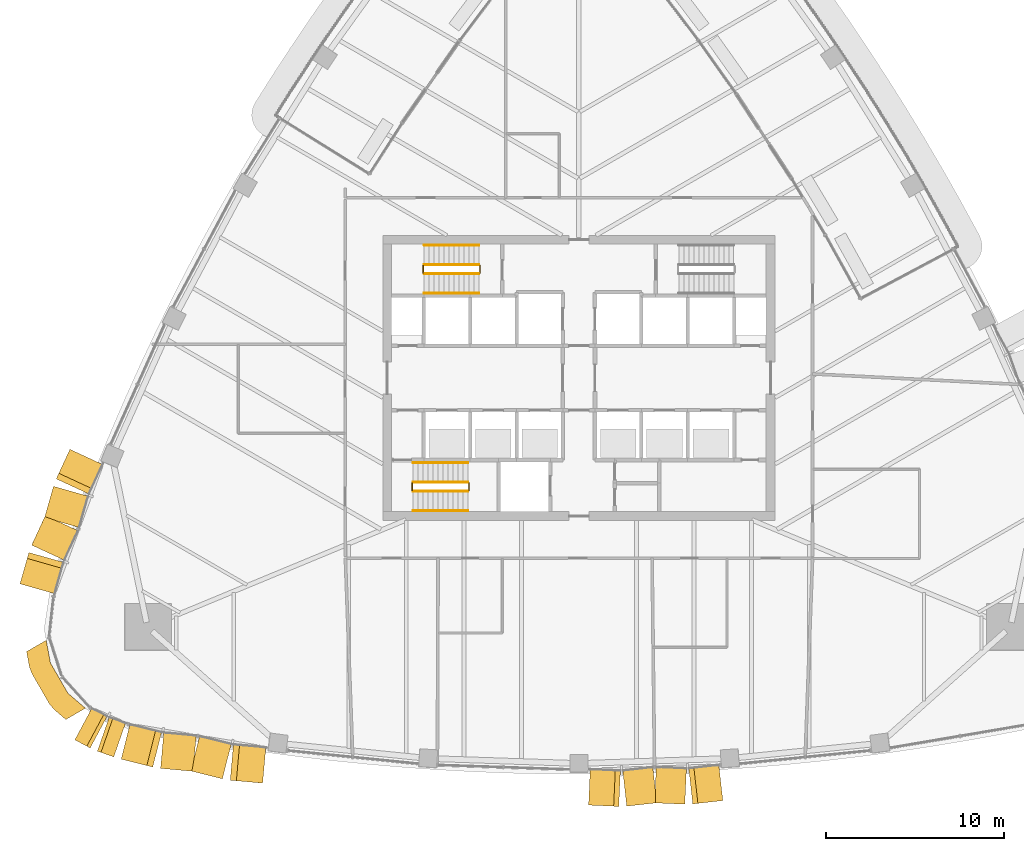
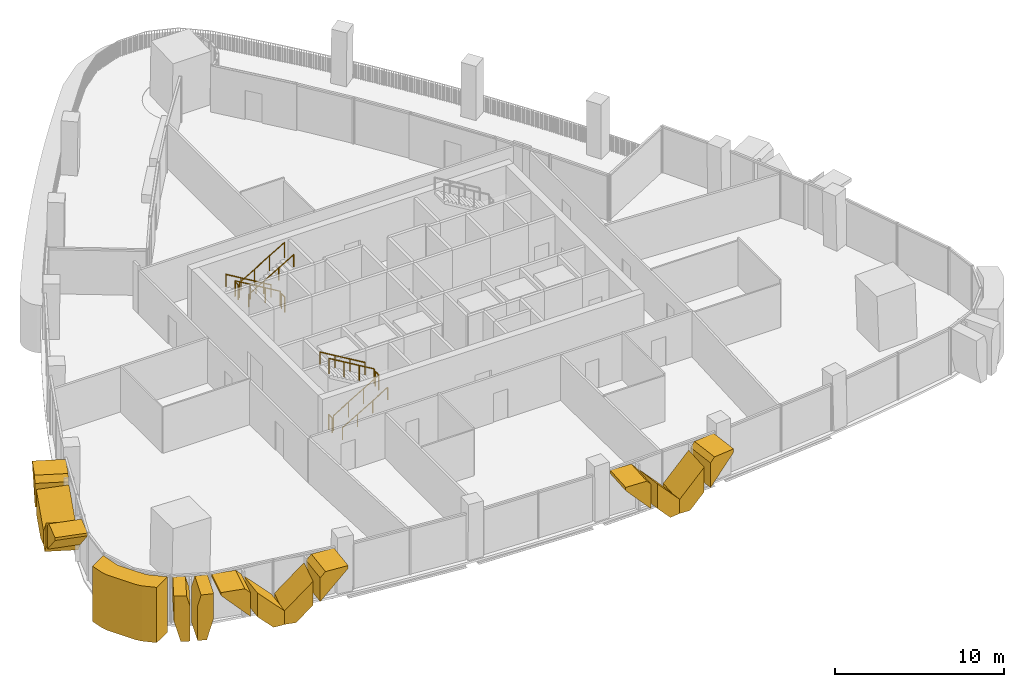
# One storey, part 17 of 21: 15 coverings, 12 railings.
"""IFC4 building model written with IfcOpenShell, lengths in metres."""

import ifcopenshell
import ifcopenshell.guid

model = None  # the IFC model being written
_history = None  # IfcOwnerHistory: only IFC2X3 demands one
_inside = {}  # id of a spatial element -> (the spatial element, [elements in it])
_under = {}  # id of a project, library or spatial element -> (it, [spatial elements below it])
_declared = {}  # id of a project -> (the project, [libraries it declares])
_typed = {}  # id of a type object -> (the type object, [elements of that type])
_made_of = {}  # id of a material, layer set ... -> (it, [elements and type objects made of it])


def new_model(schema):
    """Start an empty IFC model of exactly this schema.

    Asked for "IFC4X3", IfcOpenShell would pick the latest addendum, in which some entities
    have other attributes; the version numbers below select the first issue.
    IFC2X3 requires an IfcOwnerHistory on every rooted entity: one is made here for all.
    """
    global model, _history
    if schema == "IFC4X3":
        model = ifcopenshell.file(schema_version=(4, 3, 0, 0))
    else:
        model = ifcopenshell.file(schema=schema)
    _inside.clear()
    _under.clear()
    _declared.clear()
    _typed.clear()
    _made_of.clear()
    _history = None
    if model.schema == "IFC2X3":
        org = make("IfcOrganization", Name="unknown")
        user = make(
            "IfcPersonAndOrganization",
            ThePerson=make("IfcPerson", FamilyName="unknown"),
            TheOrganization=org,
        )
        app = make(
            "IfcApplication",
            ApplicationDeveloper=org,
            Version="unknown",
            ApplicationFullName="unknown",
            ApplicationIdentifier="unknown",
        )
        _history = make(
            "IfcOwnerHistory",
            OwningUser=user,
            OwningApplication=app,
            ChangeAction="ADDED",
            CreationDate=0,
        )
    return model


def make(cls, **values):
    """One entity of the class cls with the attributes given. An attribute that is None is left unset."""
    return model.create_entity(
        cls, **{name: value for name, value in values.items() if value is not None}
    )


def rooted(cls, **values):
    """An entity with a GlobalId (a new one), such as an element, a storey or a relation."""
    return make(cls, GlobalId=ifcopenshell.guid.new(), OwnerHistory=_history, **values)


def si_unit(unit_type, name, prefix=None):
    """IfcSIUnit, for example si_unit("LENGTHUNIT", "METRE", prefix="MILLI")."""
    return make("IfcSIUnit", UnitType=unit_type, Prefix=prefix, Name=name)


def assignment(units):
    """IfcUnitAssignment: the units of a project."""
    return None if units is None else make("IfcUnitAssignment", Units=units)


def point(xyz):
    """IfcCartesianPoint."""
    return None if xyz is None else make("IfcCartesianPoint", Coordinates=xyz)


def direction(xyz):
    """IfcDirection."""
    return None if xyz is None else make("IfcDirection", DirectionRatios=xyz)


def frame(location, z_axis=None, x_axis=None):
    """IfcAxis2Placement3D, a coordinate frame: its origin and axes. An axis left out is left unset."""
    return make(
        "IfcAxis2Placement3D",
        Location=point(location),
        Axis=direction(z_axis),
        RefDirection=direction(x_axis),
    )


def frame_2d(location, x_axis=None):
    """IfcAxis2Placement2D, a coordinate frame in the plane: its origin and x axis."""
    return make(
        "IfcAxis2Placement2D", Location=point(location), RefDirection=direction(x_axis)
    )


def origin():
    """The frame at (0, 0, 0) with its axes left unset."""
    return frame((0.0, 0.0, 0.0))


def origin_2d():
    """The frame at (0, 0) in the plane with its x axis left unset."""
    return frame_2d((0.0, 0.0))


def place(relative_to, where):
    """IfcLocalPlacement: puts the frame where relative to a parent placement (None: the world)."""
    return make(
        "IfcLocalPlacement", PlacementRelTo=relative_to, RelativePlacement=where
    )


def context(
    kind, dimensions, precision=None, world=None, true_north=None, identifier=None
):
    """IfcGeometricRepresentationContext, for example the 3D "Model" context."""
    return make(
        "IfcGeometricRepresentationContext",
        ContextIdentifier=identifier,
        ContextType=kind,
        CoordinateSpaceDimension=dimensions,
        Precision=precision,
        WorldCoordinateSystem=world,
        TrueNorth=true_north,
    )


def subcontext(parent, identifier, kind, view, scale=None):
    """IfcGeometricRepresentationSubContext, for example "Body" below "Model"."""
    return make(
        "IfcGeometricRepresentationSubContext",
        ContextIdentifier=identifier,
        ContextType=kind,
        ParentContext=parent,
        TargetScale=scale,
        TargetView=view,
    )


def project(units=None, contexts=None):
    """IfcProject with its units and contexts."""
    return rooted(
        "IfcProject",
        Name="project",
        RepresentationContexts=contexts,
        UnitsInContext=assignment(units),
    )


def spatial(cls, under=None, at=None, **own):
    """A site, building, storey or space (cls), placed at a placement, below another one or the project."""
    s = rooted(cls, ObjectPlacement=at, **own)
    if under is not None:
        _under.setdefault(under.id(), (under, []))[1].append(s)
    return s


def polyline(points):
    """IfcPolyline through the points."""
    return make("IfcPolyline", Points=[point(p) for p in points])


def profile(cls, at=None, kind="AREA", **sizes):
    """A parametric profile (cls). Its sizes go by their IFC names, for example OverallWidth=200.0."""
    return make(cls, ProfileType=kind, Position=at, **sizes)


def circle(**sizes):
    """IfcCircleProfileDef."""
    return profile("IfcCircleProfileDef", **sizes)


def outline(outer, holes=None, kind="AREA"):
    """IfcArbitraryClosedProfileDef: a profile drawn as a closed curve; with holes, ...WithVoids."""
    if holes is None:
        return make("IfcArbitraryClosedProfileDef", ProfileType=kind, OuterCurve=outer)
    return make(
        "IfcArbitraryProfileDefWithVoids",
        ProfileType=kind,
        OuterCurve=outer,
        InnerCurves=holes,
    )


def extrude(swept, where, along, depth):
    """IfcExtrudedAreaSolid: the profile swept, set in the frame where, extruded along a direction by depth."""
    return make(
        "IfcExtrudedAreaSolid",
        SweptArea=swept,
        Position=where,
        ExtrudedDirection=direction(along),
        Depth=depth,
    )


def shape(context_of_items, identifier, shape_type, items):
    """IfcShapeRepresentation: the items that make up one representation, for example the "Body"."""
    return make(
        "IfcShapeRepresentation",
        ContextOfItems=context_of_items,
        RepresentationIdentifier=identifier,
        RepresentationType=shape_type,
        Items=items,
    )


def material(Name=None, Category=None):
    """IfcMaterial."""
    return make("IfcMaterial", Name=Name, Category=Category)


def layer(
    of_material, thickness, ventilated=None, Name=None, Category=None, Priority=None
):
    """IfcMaterialLayer: one layer of a wall or slab, of a material (None: an air gap)."""
    return make(
        "IfcMaterialLayer",
        Material=of_material,
        LayerThickness=thickness,
        IsVentilated=ventilated,
        Name=Name,
        Category=Category,
        Priority=Priority,
    )


def layer_set(layers, Name=None):
    """IfcMaterialLayerSet."""
    return make("IfcMaterialLayerSet", MaterialLayers=layers, LayerSetName=Name)


def made_of(thing, what):
    """Note that an element or type object is made of a material, layer set ...; save() writes the relation."""
    if what is not None:
        _made_of.setdefault(what.id(), (what, []))[1].append(thing)
    return thing


def type_object(cls, material=None, **own):
    """A type object (cls), such as IfcWallType, which elements share."""
    return made_of(rooted(cls, **own), material)


def element(
    cls,
    number,
    at=None,
    inside=None,
    cuts=None,
    type_object=None,
    material=None,
    context=None,
    identifier="Body",
    shape_type=None,
    held_by="IfcProductDefinitionShape",
    body=None,
    shapes=None,
    **own,
):
    """One element of the class cls, such as IfcWall. Its Tag is "e" and its number.

    at: its placement. inside: the storey or other place that contains it. cuts: it is an
    opening in that element (IfcRelVoidsElement). A single representation is given by context,
    identifier, shape_type and body (its items); several are given by shapes. held_by: the class
    of the entity that holds the representations. save() writes the other relations.
    """
    e = rooted(cls, Tag="e%d" % number, ObjectPlacement=at, **own)
    if body is not None:
        shapes = [shape(context, identifier, shape_type, body)]
    if shapes is not None:
        e.Representation = make(held_by, Representations=shapes)
    if inside is not None:
        _inside.setdefault(inside.id(), (inside, []))[1].append(e)
    if cuts is not None:
        rooted(
            "IfcRelVoidsElement", RelatingBuildingElement=cuts, RelatedOpeningElement=e
        )
    if type_object is not None:
        _typed.setdefault(type_object.id(), (type_object, []))[1].append(e)
    return made_of(e, material)


def aggregate(whole, parts):
    """IfcRelAggregates: a whole, such as a stair, and the parts it consists of."""
    return rooted("IfcRelAggregates", RelatingObject=whole, RelatedObjects=parts)


def save(model, path):
    """Write the relations noted so far, then the file.

    IfcRelAggregates (storeys below a building ...), IfcRelContainedInSpatialStructure (elements
    in a storey), IfcRelDefinesByType, IfcRelAssociatesMaterial and IfcRelDeclares: one each for
    every whole, place, type object, material and project.
    """
    for whole, parts in _under.values():
        aggregate(whole, parts)
    for where, things in _inside.values():
        rooted(
            "IfcRelContainedInSpatialStructure",
            RelatedElements=things,
            RelatingStructure=where,
        )
    for kind, things in _typed.values():
        rooted("IfcRelDefinesByType", RelatedObjects=things, RelatingType=kind)
    for what, things in _made_of.values():
        rooted("IfcRelAssociatesMaterial", RelatedObjects=things, RelatingMaterial=what)
    for by, libraries in _declared.values():
        rooted("IfcRelDeclares", RelatingContext=by, RelatedDefinitions=libraries)
    model.write(path)


model = new_model("IFC4")

# Units and contexts
model_context = context("Model", 3, precision=1e-05, world=origin(), true_north=direction((0.0, 1.0)))
body_context = subcontext(model_context, "Body", "Model", "MODEL_VIEW")
ifc_project = project(units=[si_unit("LENGTHUNIT", "METRE"), si_unit("AREAUNIT", "SQUARE_METRE"), si_unit("VOLUMEUNIT", "CUBIC_METRE"), si_unit("PLANEANGLEUNIT", "RADIAN"), si_unit("MASSUNIT", "GRAM", prefix="KILO")], contexts=[model_context])

# Site, building, storey
site_placement = place(None, origin())
site = spatial("IfcSite", under=ifc_project, at=site_placement, CompositionType="ELEMENT")
building_placement = place(site_placement, origin())
building = spatial("IfcBuilding", under=site, at=building_placement, Name="Sierra Prisma Convention Tower", CompositionType="ELEMENT")
storey_placement = place(building_placement, frame((0.0, 0.0, 157.800048828125)))
storey = spatial("IfcBuildingStorey", under=building, at=storey_placement, Name="L34", CompositionType="ELEMENT", Elevation=157.800048828125)

# Coverings
ifc_material_1 = material(Name="Aluminium composite bronze anodised", Category="aluminium")
ifc_layer_1 = layer(ifc_material_1, 1.199951171875)
ifc_layer_set_1 = layer_set([ifc_layer_1], Name="Bronze corner pier")
covering_type_1 = type_object("IfcCoveringType", Name="Bronze corner pier", PredefinedType="CLADDING", material=ifc_layer_set_1)
covering_1_placement = place(storey_placement, frame((0.0, 0.0, -0.60009765625)))
element("IfcCovering", 1, at=covering_1_placement, inside=storey, type_object=covering_type_1, Name="Corner pier SW L34.1", PredefinedType="CLADDING", context=body_context, shape_type="SweptSolid", body=[
    extrude(outline(polyline([(-29.69873046875, -18.2734375), (-30.6748046875, -16.5830078125), (-30.81494140625, -16.204345703125), (-30.976318359375, -15.34375), (-29.874755859375, -14.707763671875), (-29.635498046875, -15.983154296875), (-28.659423828125, -17.673583984375), (-27.6748046875, -18.518310546875), (-28.7763671875, -19.154296875), (-29.44091796875, -18.584228515625), (-29.69873046875, -18.2734375)])), origin(), (0.0, 0.0, 1.0), 4.0),
])
ifc_material_2 = material(Name="Aluminium 6063-T6 bronze anodised", Category="aluminium")
ifc_layer_2 = layer(ifc_material_2, 2.0)
ifc_layer_set_2 = layer_set([ifc_layer_2], Name="Bronze crystal chevron frame")
covering_type_2 = type_object("IfcCoveringType", Name="Bronze crystal chevron frame", PredefinedType="CLADDING", material=ifc_layer_set_2)
covering_2_placement = place(storey_placement, frame((-28.544677734375, -4.0009765625, 3.280029296875), z_axis=(-0.907345004592, 0.420386777314, 1.0058604e-05), x_axis=(-9.126624e-06, 4.228504e-06, -0.999999999949)))
element("IfcCovering", 2, at=covering_2_placement, inside=storey, type_object=covering_type_2, Name="CW-2 chevron frame NW6.1.1", PredefinedType="CLADDING", context=body_context, shape_type="SweptSolid", body=[
    extrude(outline(polyline([(0.0, 0.0), (0.20068359373984787, 0.0), (2.0725097655559974, 1.826458570850261), (0.3542480468929206, 1.826458570850261), (-1.9415027582672016e-10, 1.4809602509113515), (0.0, 0.0)])), origin(), (0.0, 0.0, -1.0), 2.0),
])
covering_3_placement = place(storey_placement, frame((-29.466796875, -6.073974609375, 2.79248046875), z_axis=(-0.961927187567, 0.273305844274, 3.6122122e-05), x_axis=(-3.4746851e-05, 9.872387e-06, -0.999999999348)))
element("IfcCovering", 3, at=covering_3_placement, inside=storey, type_object=covering_type_2, Name="CW-2 chevron frame NW6.1.2", PredefinedType="CLADDING", context=body_context, shape_type="SweptSolid", body=[
    extrude(outline(polyline([(0.0, 0.0), (1.7182617176289996, 2.9108485755741044e-21), (2.7924804717731018, 1.0482471554275454), (2.792480468329824, 1.8266358460308618), (1.8718261720554623, 1.8266358460308618), (0.0, 0.0)])), origin(), (0.0, 0.0, -1.0), 2.0),
])
covering_4_placement = place(storey_placement, frame((-29.9228515625, -7.714599609375, 0.0), z_axis=(-0.907281528453, 0.42052375189, 4.7168026e-05), x_axis=(-0.420523752358, -0.907281529462, -7.544e-09)))
element("IfcCovering", 4, at=covering_4_placement, inside=storey, type_object=covering_type_2, Name="CW-2 chevron frame NW6.2.1", PredefinedType="CLADDING", context=body_context, shape_type="SweptSolid", body=[
    extrude(outline(polyline([(0.0, 0.0), (0.7782667322060375, -1.6940658945086007e-21), (1.826561209402547, 1.0742187649742598), (1.8265611964402546, 2.792480481812846), (-6.945269226519139e-09, 0.9206542958508538), (0.0, 0.0)])), origin(), (0.0, 0.0, -1.0), 2.0),
])
covering_5_placement = place(storey_placement, frame((-31.344482421875, -11.544677734375, 3.280029296875), z_axis=(-0.961921342181, 0.273326419244, 7.54332e-07), x_axis=(0.273326419244, 0.961921342181, 1e-12)))
element("IfcCovering", 5, at=covering_5_placement, inside=storey, type_object=covering_type_2, Name="CW-2 chevron frame NW6.2.2", PredefinedType="CLADDING", context=body_context, shape_type="SweptSolid", body=[
    extrude(outline(polyline([(0.0, 0.0), (1.480953670589003, 5.293955920339377e-23), (1.826635846442726, 0.3542480468764477), (1.826635846441459, 2.0725097656259592), (-1.4796469815772763e-13, 0.20068359374994293), (0.0, 0.0)])), origin(), (0.0, 0.0, -1.0), 2.0),
])
covering_6_placement = place(storey_placement, frame((-28.2685546875, -20.29150390625, 3.280029296875), z_axis=(-0.47215438019, -0.88151587687, -9.698263e-06), x_axis=(4.579078e-06, 8.549173e-06, -0.999999999953)))
element("IfcCovering", 6, at=covering_6_placement, inside=storey, type_object=covering_type_2, Name="CW-2 chevron frame SW4.1.1", PredefinedType="CLADDING", context=body_context, shape_type="SweptSolid", body=[
    extrude(outline(polyline([(0.0, 0.0), (1.7661132811669429, 2.991912275604301e-21), (3.280029297607041, 0.41538422428640653), (3.2800292968978977, 0.9726577511941177), (0.7756347657656748, 0.9726577511941177), (4.0877076655960275e-10, 0.759666219457765), (0.0, 0.0)])), origin(), (0.0, 0.0, -1.0), 2.0),
])
covering_7_placement = place(storey_placement, frame((-27.005126953125, -20.9287109375, 0.0), z_axis=(-0.328529065947, -0.944493860246, -2.8036486e-05), x_axis=(0.944493860617, -0.328529066076, 7.58e-10)))
element("IfcCovering", 7, at=covering_7_placement, inside=storey, type_object=covering_type_2, Name="CW-2 chevron frame SW4.1.2", PredefinedType="CLADDING", context=body_context, shape_type="SweptSolid", body=[
    extrude(outline(polyline([(0.0, 0.0), (0.5573060456658403, 8.470329472543003e-22), (0.972698962328281, 1.5139160148920645), (0.9726989636672722, 3.2800292954479424), (0.21279450669859706, 3.280029300149654), (1.898724161820811e-09, 2.504394530265717), (0.0, 0.0)])), origin(), (0.0, 0.0, -1.0), 2.0),
])
covering_8_placement = place(storey_placement, frame((-25.670166015625, -21.372802734375, 3.280029296875), z_axis=(-0.244197228601, -0.969725586373, 2.6018475e-05), x_axis=(-6.353639e-06, -2.523078e-05, -0.999999999662)))
element("IfcCovering", 8, at=covering_8_placement, inside=storey, type_object=covering_type_2, Name="CW-2 chevron frame S1.1.1", PredefinedType="CLADDING", context=body_context, shape_type="SweptSolid", body=[
    extrude(outline(polyline([(0.0, 0.0), (0.20068359368207253, 1.6998561587964719e-22), (2.072509765163308, 1.826539909258576), (0.3542480469949061, 1.826539909258576), (-1.2990511723368374e-09, 1.4808549796527508), (0.0, 0.0)])), origin(), (0.0, 0.0, -1.0), 2.0),
])
covering_9_placement = place(storey_placement, frame((-23.461669921875, -21.89306640625, 2.79248046875), z_axis=(-0.089536532803, -0.995983537897, 3.9151018e-05), x_axis=(-3.505446e-06, -3.8993769e-05, -0.999999999234)))
element("IfcCovering", 9, at=covering_9_placement, inside=storey, type_object=covering_type_2, Name="CW-2 chevron frame S1.1.2", PredefinedType="CLADDING", context=body_context, shape_type="SweptSolid", body=[
    extrude(outline(polyline([(0.0, 0.0), (1.7182617174331225, 0.0), (2.792480472301341, 1.0481682559728875), (2.7924804682564046, 1.8264313534126646), (1.8718261720869953, 1.8264313534126646), (0.0, 0.0)])), origin(), (0.0, 0.0, -1.0), 2.0),
])
covering_10_placement = place(storey_placement, frame((-21.01025390625, -22.22607421875, 0.0), z_axis=(-0.244335602112, -0.969690730776, 1.3667605e-05), x_axis=(0.677275077702, -0.170644750129, 0.715666709005)))
element("IfcCovering", 10, at=covering_10_placement, inside=storey, type_object=covering_type_2, Name="CW-2 chevron frame S1.2.1", PredefinedType="CLADDING", context=body_context, shape_type="SweptSolid", body=[
    extrude(outline(polyline([(0.0, 0.0), (1.5010042202284484, 0.0), (2.7307069296949047, 1.2001060702708894), (0.1153295005199999, 1.1999806279445064), (-0.5435521302555054, 0.5569570429783904), (0.0, 0.0)])), origin(), (0.0, 0.0, -1.0), 2.0),
])
covering_11_placement = place(storey_placement, frame((-17.7373046875, -22.719970703125, 3.280029296875), z_axis=(-0.089576252047, -0.995979963413, 8.6890774e-05), x_axis=(-0.995979967172, 0.089576252386, 9.784e-09)))
element("IfcCovering", 11, at=covering_11_placement, inside=storey, type_object=covering_type_2, Name="CW-2 chevron frame S1.2.2", PredefinedType="CLADDING", context=body_context, shape_type="SweptSolid", body=[
    extrude(outline(polyline([(0.0, 0.0), (1.4808214020961126, -3.3881317890172014e-21), (1.8264313501716145, 0.3542480660817135), (1.826431333360498, 2.0725097783452697), (-1.963446696895295e-09, 0.20068359299241878), (0.0, 0.0)])), origin(), (0.0, 0.0, -1.0), 2.0),
])
covering_12_placement = place(storey_placement, frame((0.539794921875, -23.951416015625, 3.280029296875), z_axis=(-0.044991850385, -0.998987352103, 6.1139471e-05), x_axis=(-2.750778e-06, -6.1077558e-05, -0.999999998131)))
element("IfcCovering", 12, at=covering_12_placement, inside=storey, type_object=covering_type_2, Name="CW-2 chevron frame S4.1.1", PredefinedType="CLADDING", context=body_context, shape_type="SweptSolid", body=[
    extrude(outline(polyline([(0.0, 0.0), (0.23657226518284233, 0.0), (2.0993652316403755, 1.6980094200630487), (0.31811523496956295, 1.6980094200630487), (-7.54269004048393e-09, 1.4081586969836086), (0.0, 0.0)])), origin(), (0.0, 0.0, -1.0), 2.0),
])
covering_13_placement = place(storey_placement, frame((2.679443359375, -24.0126953125, 2.8193359375), z_axis=(0.111891656459, -0.993720411202, 3.9689058e-05), x_axis=(4.440874e-06, -3.9439827e-05, -0.999999999212)))
element("IfcCovering", 13, at=covering_13_placement, inside=storey, type_object=covering_type_2, Name="CW-2 chevron frame S4.1.2", PredefinedType="CLADDING", context=body_context, shape_type="SweptSolid", body=[
    extrude(outline(polyline([(0.0, 0.0), (1.7812499985970685, -1.5087774372967225e-21), (2.819335941227306, 0.9461099594331482), (2.819335936914676, 1.6979134462940104), (1.8627929689180596, 1.6979134462940104), (0.0, 0.0)])), origin(), (0.0, 0.0, -1.0), 2.0),
])
covering_14_placement = place(storey_placement, frame((4.24267578125, -23.826904296875, 0.0), z_axis=(-0.044853848244, -0.99899355964, -9.749061e-06), x_axis=(0.998993559688, -0.044853848246, -3.46e-10)))
element("IfcCovering", 14, at=covering_14_placement, inside=storey, type_object=covering_type_2, Name="CW-2 chevron frame S4.2.1", PredefinedType="CLADDING", context=body_context, shape_type="SweptSolid", body=[
    extrude(outline(polyline([(0.0, 0.0), (0.7517319386370479, -5.293955920339377e-23), (1.6979984501687364, 1.0380859381370926), (1.6979984495521585, 2.819335938052444), (-3.3110645782300244e-10, 0.956542968704543), (0.0, 0.0)])), origin(), (0.0, 0.0, -1.0), 2.0),
])
covering_15_placement = place(storey_placement, frame((8.0693359375, -23.697998046875, 3.280029296875), z_axis=(0.112009692469, -0.99370711419, -8.76978e-07), x_axis=(-0.993707114191, -0.11200969247, 1e-12)))
element("IfcCovering", 15, at=covering_15_placement, inside=storey, type_object=covering_type_2, Name="CW-2 chevron frame S4.2.2", PredefinedType="CLADDING", context=body_context, shape_type="SweptSolid", body=[
    extrude(outline(polyline([(0.0, 0.0), (1.4080306964749203, 2.6469779601696886e-23), (1.6979407755378702, 0.3181152343769938), (1.6979407755359068, 2.0993652343763087), (-2.607426876630238e-13, 0.23657226562490904), (0.0, 0.0)])), origin(), (0.0, 0.0, -1.0), 2.0),
])

# Railings
ifc_material_3 = material(Name="Stainless steel", Category="steel")
railing_type_1 = type_object("IfcRailingType", Name="Exit stair handrail", PredefinedType="HANDRAIL", material=ifc_material_3)
railing_1_placement = place(storey_placement, frame((-9.300048828125, -7.449951171875, 0.16650390625)))
element("IfcRailing", 16, at=railing_1_placement, inside=storey, type_object=railing_type_1, Name="L34 S1 stair handrail 1", PredefinedType="HANDRAIL", context=body_context, shape_type="SweptSolid", body=[
    extrude(circle(Radius=0.02392578125, at=origin_2d()), frame((0.0, 0.0, 0.8759765625), z_axis=(0.85927862911, 0.0, 0.511507807912), x_axis=(0.0, 1.0, 0.0)), (0.0, 0.0, 1.0), 3.58447265625),
    extrude(circle(Radius=0.02099609375, at=origin_2d()), origin(), (0.0, 0.0, 1.0), 0.851806640625),
    extrude(circle(Radius=0.02099609375, at=origin_2d()), frame((1.026611328125, 0.0, 0.611083984375)), (0.0, 0.0, 1.0), 0.851806640625),
    extrude(circle(Radius=0.02099609375, at=origin_2d()), frame((2.053466796875, 0.0, 1.222412109375)), (0.0, 0.0, 1.0), 0.851806640625),
    extrude(circle(Radius=0.02099609375, at=origin_2d()), frame((3.080078125, 0.0, 1.83349609375)), (0.0, 0.0, 1.0), 0.851806640625),
])
railing_2_placement = place(storey_placement, frame((-6.219970703125, -4.75, 2.16650390625)))
element("IfcRailing", 17, at=railing_2_placement, inside=storey, type_object=railing_type_1, Name="L34 S1 stair handrail 2", PredefinedType="HANDRAIL", context=body_context, shape_type="SweptSolid", body=[
    extrude(circle(Radius=0.02392578125, at=origin_2d()), frame((0.0, 0.0, 0.8759765625), z_axis=(-0.85927862911, 0.0, 0.511507807912), x_axis=(0.0, -1.0, 0.0)), (0.0, 0.0, 1.0), 3.58447265625),
    extrude(circle(Radius=0.02099609375, at=origin_2d()), origin(), (0.0, 0.0, 1.0), 0.851806640625),
    extrude(circle(Radius=0.02099609375, at=origin_2d()), frame((-1.026611328125, 0.0, 0.611083984375)), (0.0, 0.0, 1.0), 0.851806640625),
    extrude(circle(Radius=0.02099609375, at=origin_2d()), frame((-2.053466796875, 0.0, 1.222412109375)), (0.0, 0.0, 1.0), 0.851806640625),
    extrude(circle(Radius=0.02099609375, at=origin_2d()), frame((-3.080078125, 0.0, 1.83349609375)), (0.0, 0.0, 1.0), 0.851806640625),
])
railing_3_placement = place(storey_placement, frame((-5.60009765625, 7.449951171875, 0.16650390625)))
element("IfcRailing", 18, at=railing_3_placement, inside=storey, type_object=railing_type_1, Name="L34 S3 stair handrail 1", PredefinedType="HANDRAIL", context=body_context, shape_type="SweptSolid", body=[
    extrude(circle(Radius=0.02392578125, at=origin_2d()), frame((0.0, 0.0, 0.8759765625), z_axis=(-0.859260807169, 0.0, 0.511537745687), x_axis=(0.0, -1.0, 0.0)), (0.0, 0.0, 1.0), 3.584228515625),
    extrude(circle(Radius=0.02099609375, at=origin_2d()), origin(), (0.0, 0.0, 1.0), 0.851806640625),
    extrude(circle(Radius=0.02099609375, at=origin_2d()), frame((-1.026611328125, 0.0, 0.611083984375)), (0.0, 0.0, 1.0), 0.851806640625),
    extrude(circle(Radius=0.02099609375, at=origin_2d()), frame((-2.05322265625, 0.0, 1.222412109375)), (0.0, 0.0, 1.0), 0.851806640625),
    extrude(circle(Radius=0.02099609375, at=origin_2d()), frame((-3.079833984375, 0.0, 1.83349609375)), (0.0, 0.0, 1.0), 0.851806640625),
])
railing_4_placement = place(storey_placement, frame((-8.679931640625, 4.75, 2.16650390625)))
element("IfcRailing", 19, at=railing_4_placement, inside=storey, type_object=railing_type_1, Name="L34 S3 stair handrail 2", PredefinedType="HANDRAIL", context=body_context, shape_type="SweptSolid", body=[
    extrude(circle(Radius=0.02392578125, at=origin_2d()), frame((0.0, 0.0, 0.8759765625), z_axis=(0.859260807169, 0.0, 0.511537745687), x_axis=(0.0, 1.0, 0.0)), (0.0, 0.0, 1.0), 3.584228515625),
    extrude(circle(Radius=0.02099609375, at=origin_2d()), origin(), (0.0, 0.0, 1.0), 0.851806640625),
    extrude(circle(Radius=0.02099609375, at=origin_2d()), frame((1.026611328125, 0.0, 0.611083984375)), (0.0, 0.0, 1.0), 0.851806640625),
    extrude(circle(Radius=0.02099609375, at=origin_2d()), frame((2.05322265625, 0.0, 1.222412109375)), (0.0, 0.0, 1.0), 0.851806640625),
    extrude(circle(Radius=0.02099609375, at=origin_2d()), frame((3.079833984375, 0.0, 1.83349609375)), (0.0, 0.0, 1.0), 0.851806640625),
])
ifc_material_4 = material(Name="Stainless steel", Category="steel")
railing_type_2 = type_object("IfcRailingType", Name="Stair guard 1100", PredefinedType="GUARDRAIL", material=ifc_material_4)
railing_5_placement = place(storey_placement, frame((-9.300048828125, -6.35009765625, 0.16650390625)))
element("IfcRailing", 20, at=railing_5_placement, inside=storey, type_object=railing_type_2, Name="L34 S1 stair guard 1", PredefinedType="GUARDRAIL", context=body_context, shape_type="SweptSolid", body=[
    extrude(circle(Radius=0.02392578125, at=origin_2d()), frame((0.0, 0.0, 1.076171875), z_axis=(0.85927862911, 0.0, 0.511507807912), x_axis=(0.0, 1.0, 0.0)), (0.0, 0.0, 1.0), 3.58447265625),
    extrude(circle(Radius=0.02099609375, at=origin_2d()), origin(), (0.0, 0.0, 1.0), 1.052001953125),
    extrude(circle(Radius=0.02099609375, at=origin_2d()), frame((1.026611328125, 0.0, 0.611083984375)), (0.0, 0.0, 1.0), 1.052001953125),
    extrude(circle(Radius=0.02099609375, at=origin_2d()), frame((2.053466796875, 0.0, 1.222412109375)), (0.0, 0.0, 1.0), 1.052001953125),
    extrude(circle(Radius=0.02099609375, at=origin_2d()), frame((3.080078125, 0.0, 1.83349609375)), (0.0, 0.0, 1.0), 1.052001953125),
])
railing_6_placement = place(storey_placement, frame((-6.169921875, -6.300048828125, 2.0)))
element("IfcRailing", 21, at=railing_6_placement, inside=storey, type_object=railing_type_2, Name="L34 S1 stair guard 2", PredefinedType="GUARDRAIL", context=body_context, shape_type="SweptSolid", body=[
    extrude(circle(Radius=0.02392578125, at=origin_2d()), frame((0.0, 0.0, 1.076171875), z_axis=(0.0, 1.0, 0.0), x_axis=(-1.0, 0.0, 0.0)), (0.0, 0.0, 1.0), 0.400146484375),
    extrude(circle(Radius=0.02099609375, at=origin_2d()), origin(), (0.0, 0.0, 1.0), 1.052001953125),
    extrude(circle(Radius=0.02099609375, at=origin_2d()), frame((0.0, 0.400146484375, 0.0)), (0.0, 0.0, 1.0), 1.052001953125),
])
railing_7_placement = place(storey_placement, frame((-6.219970703125, -5.85009765625, 2.16650390625)))
element("IfcRailing", 22, at=railing_7_placement, inside=storey, type_object=railing_type_2, Name="L34 S1 stair guard 3", PredefinedType="GUARDRAIL", context=body_context, shape_type="SweptSolid", body=[
    extrude(circle(Radius=0.02392578125, at=origin_2d()), frame((0.0, 0.0, 1.076171875), z_axis=(-0.85927862911, 0.0, 0.511507807912), x_axis=(0.0, -1.0, 0.0)), (0.0, 0.0, 1.0), 3.58447265625),
    extrude(circle(Radius=0.02099609375, at=origin_2d()), origin(), (0.0, 0.0, 1.0), 1.052001953125),
    extrude(circle(Radius=0.02099609375, at=origin_2d()), frame((-1.026611328125, 0.0, 0.611083984375)), (0.0, 0.0, 1.0), 1.052001953125),
    extrude(circle(Radius=0.02099609375, at=origin_2d()), frame((-2.053466796875, 0.0, 1.222412109375)), (0.0, 0.0, 1.0), 1.052001953125),
    extrude(circle(Radius=0.02099609375, at=origin_2d()), frame((-3.080078125, 0.0, 1.83349609375)), (0.0, 0.0, 1.0), 1.052001953125),
])
railing_8_placement = place(storey_placement, frame((-9.35009765625, -6.300048828125, 0.0)))
element("IfcRailing", 23, at=railing_8_placement, inside=storey, type_object=railing_type_2, Name="L34 S1 stair guard 4", PredefinedType="GUARDRAIL", context=body_context, shape_type="SweptSolid", body=[
    extrude(circle(Radius=0.02392578125, at=origin_2d()), frame((0.0, 0.0, 1.076171875), z_axis=(0.0, 1.0, 0.0), x_axis=(-1.0, 0.0, 0.0)), (0.0, 0.0, 1.0), 0.400146484375),
    extrude(circle(Radius=0.02099609375, at=origin_2d()), origin(), (0.0, 0.0, 1.0), 1.052001953125),
    extrude(circle(Radius=0.02099609375, at=origin_2d()), frame((0.0, 0.400146484375, 0.0)), (0.0, 0.0, 1.0), 1.052001953125),
])
railing_9_placement = place(storey_placement, frame((-5.60009765625, 6.35009765625, 0.16650390625)))
element("IfcRailing", 24, at=railing_9_placement, inside=storey, type_object=railing_type_2, Name="L34 S3 stair guard 1", PredefinedType="GUARDRAIL", context=body_context, shape_type="SweptSolid", body=[
    extrude(circle(Radius=0.02392578125, at=origin_2d()), frame((0.0, 0.0, 1.076171875), z_axis=(-0.859260807169, 0.0, 0.511537745687), x_axis=(0.0, -1.0, 0.0)), (0.0, 0.0, 1.0), 3.584228515625),
    extrude(circle(Radius=0.02099609375, at=origin_2d()), origin(), (0.0, 0.0, 1.0), 1.052001953125),
    extrude(circle(Radius=0.02099609375, at=origin_2d()), frame((-1.026611328125, 0.0, 0.611083984375)), (0.0, 0.0, 1.0), 1.052001953125),
    extrude(circle(Radius=0.02099609375, at=origin_2d()), frame((-2.05322265625, 0.0, 1.222412109375)), (0.0, 0.0, 1.0), 1.052001953125),
    extrude(circle(Radius=0.02099609375, at=origin_2d()), frame((-3.079833984375, 0.0, 1.83349609375)), (0.0, 0.0, 1.0), 1.052001953125),
])
railing_10_placement = place(storey_placement, frame((-8.72998046875, 6.300048828125, 2.0)))
element("IfcRailing", 25, at=railing_10_placement, inside=storey, type_object=railing_type_2, Name="L34 S3 stair guard 2", PredefinedType="GUARDRAIL", context=body_context, shape_type="SweptSolid", body=[
    extrude(circle(Radius=0.02392578125, at=origin_2d()), frame((0.0, 0.0, 1.076171875), z_axis=(0.0, -1.0, 0.0), x_axis=(1.0, 0.0, 0.0)), (0.0, 0.0, 1.0), 0.400146484375),
    extrude(circle(Radius=0.02099609375, at=origin_2d()), origin(), (0.0, 0.0, 1.0), 1.052001953125),
    extrude(circle(Radius=0.02099609375, at=origin_2d()), frame((0.0, -0.400146484375, 0.0)), (0.0, 0.0, 1.0), 1.052001953125),
])
railing_11_placement = place(storey_placement, frame((-8.679931640625, 5.85009765625, 2.16650390625)))
element("IfcRailing", 26, at=railing_11_placement, inside=storey, type_object=railing_type_2, Name="L34 S3 stair guard 3", PredefinedType="GUARDRAIL", context=body_context, shape_type="SweptSolid", body=[
    extrude(circle(Radius=0.02392578125, at=origin_2d()), frame((0.0, 0.0, 1.076171875), z_axis=(0.859260807169, 0.0, 0.511537745687), x_axis=(0.0, 1.0, 0.0)), (0.0, 0.0, 1.0), 3.584228515625),
    extrude(circle(Radius=0.02099609375, at=origin_2d()), origin(), (0.0, 0.0, 1.0), 1.052001953125),
    extrude(circle(Radius=0.02099609375, at=origin_2d()), frame((1.026611328125, 0.0, 0.611083984375)), (0.0, 0.0, 1.0), 1.052001953125),
    extrude(circle(Radius=0.02099609375, at=origin_2d()), frame((2.05322265625, 0.0, 1.222412109375)), (0.0, 0.0, 1.0), 1.052001953125),
    extrude(circle(Radius=0.02099609375, at=origin_2d()), frame((3.079833984375, 0.0, 1.83349609375)), (0.0, 0.0, 1.0), 1.052001953125),
])
railing_12_placement = place(storey_placement, frame((-5.550048828125, 6.300048828125, 0.0)))
element("IfcRailing", 27, at=railing_12_placement, inside=storey, type_object=railing_type_2, Name="L34 S3 stair guard 4", PredefinedType="GUARDRAIL", context=body_context, shape_type="SweptSolid", body=[
    extrude(circle(Radius=0.02392578125, at=origin_2d()), frame((0.0, 0.0, 1.076171875), z_axis=(0.0, -1.0, 0.0), x_axis=(1.0, 0.0, 0.0)), (0.0, 0.0, 1.0), 0.400146484375),
    extrude(circle(Radius=0.02099609375, at=origin_2d()), origin(), (0.0, 0.0, 1.0), 1.052001953125),
    extrude(circle(Radius=0.02099609375, at=origin_2d()), frame((0.0, -0.400146484375, 0.0)), (0.0, 0.0, 1.0), 1.052001953125),
])

save(model, "model.ifc")
